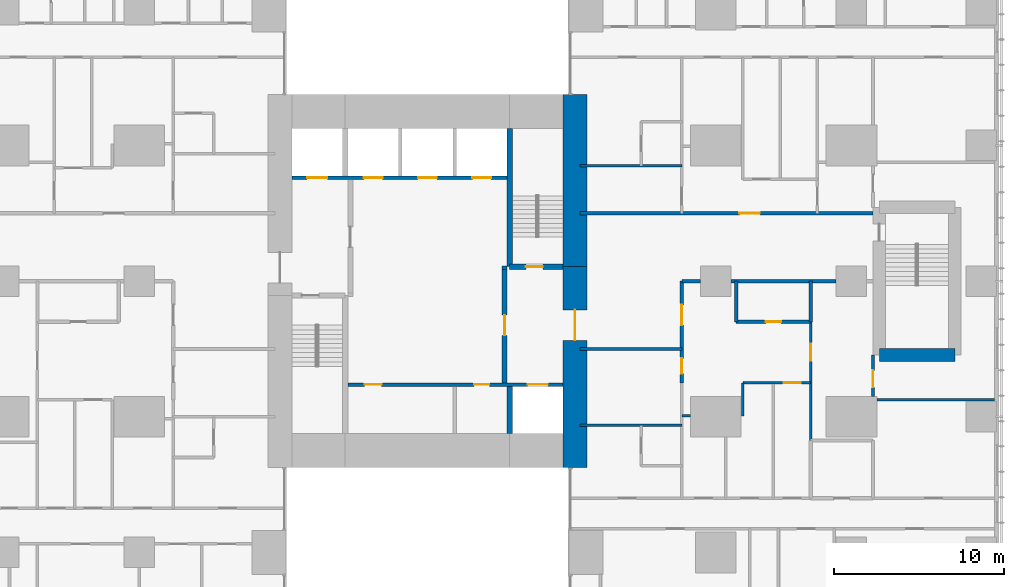
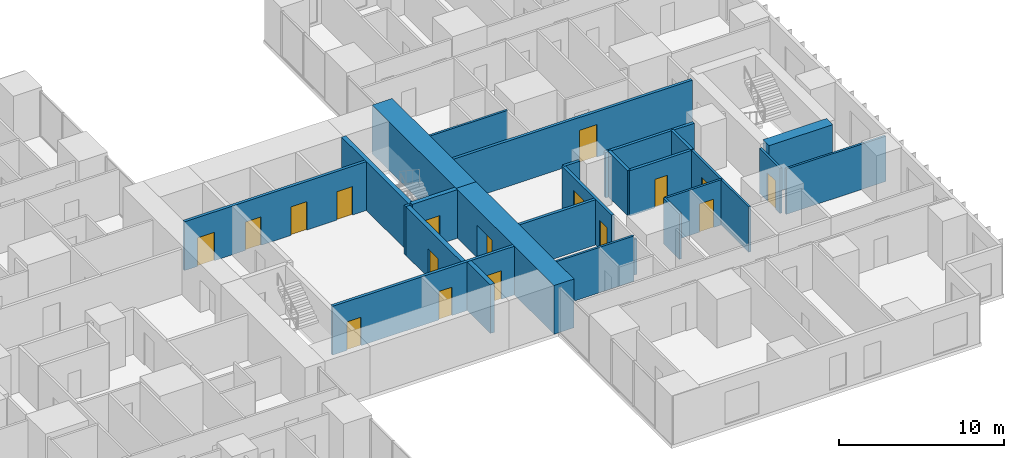
# One storey, part 15 of 20: 26 walls, 17 doors, 17 openings.
"""IFC4 building model written with IfcOpenShell, lengths in metres."""

from ifc_helpers import new_model, si_unit, direction, frame, frame_2d, origin, place, context, subcontext, project, spatial, rectangle, extrude, material, layer, layer_set, type_object, element, fill, save


model = new_model("IFC4")

# Units and contexts
model_context = context("Model", 3, precision=1e-05, world=origin(), true_north=direction((0.0, 1.0)))
body_context = subcontext(model_context, "Body", "Model", "MODEL_VIEW")
ifc_project = project(units=[si_unit("LENGTHUNIT", "METRE"), si_unit("AREAUNIT", "SQUARE_METRE"), si_unit("VOLUMEUNIT", "CUBIC_METRE"), si_unit("PLANEANGLEUNIT", "RADIAN"), si_unit("MASSUNIT", "GRAM", prefix="KILO")], contexts=[model_context])

# Site, building, storey
site_placement = place(None, origin())
site = spatial("IfcSite", under=ifc_project, at=site_placement, CompositionType="ELEMENT")
building_placement = place(site_placement, origin())
building = spatial("IfcBuilding", under=site, at=building_placement, Name="Cleftline Residences", CompositionType="ELEMENT")
storey_placement = place(building_placement, frame((0.0, 0.0, 203.800048828125)))
storey = spatial("IfcBuildingStorey", under=building, at=storey_placement, Name="L53", CompositionType="ELEMENT", Elevation=203.800048828125)

# Wall, opening, door
ifc_material_1 = material(Name="Concrete B70", Category="concrete")
ifc_layer_1 = layer(ifc_material_1, 1.39990234375)
ifc_layer_set_1 = layer_set([ifc_layer_1], Name="CORE WALL 1400")
wall_type_1 = type_object("IfcWallType", Name="CORE WALL 1400", PredefinedType="SHEAR", material=ifc_layer_set_1)
wall_1_placement = place(storey_placement, frame((41.699951171875, 13.0, 0.0), z_axis=(0.0, 0.0, 1.0), x_axis=(0.0, 1.0, 0.0)))
wall_1 = element("IfcWall", 1, at=wall_1_placement, inside=storey, type_object=wall_type_1, Name="Core wall E", PredefinedType="SHEAR", context=body_context, shape_type="SweptSolid", body=[
    extrude(rectangle(XDim=11.85009765625, YDim=1.39990234375, at=frame_2d((5.925048828125, 0.0))), origin(), (0.0, 0.0, 1.0), 3.599853515625),
])
opening_1_placement = place(wall_1_placement, frame((7.5, 0.0, 0.0)))
opening_1 = element("IfcOpeningElement", 2, at=opening_1_placement, cuts=wall_1, Name="Opening D7", PredefinedType="OPENING", context=body_context, shape_type="SweptSolid", body=[
    extrude(rectangle(XDim=1.800048828125, YDim=2.39990234375, at=frame_2d((0.89990234375, 1.199951171875))), frame((0.0, 0.7099609375, 0.0), z_axis=(0.0, -1.0, 0.0), x_axis=(1.0, 0.0, 0.0)), (0.0, 0.0, 1.0), 1.419921875),
])
ifc_material_2 = material(Name="Steel", Category="steel")
door_type_1 = type_object("IfcDoorType", Name="WING DOOR 1800X2400", OperationType="DOUBLE_DOOR_DOUBLE_SWING", PredefinedType="DOOR", material=ifc_material_2)
door_1_placement = place(opening_1_placement, origin())
door_1 = element("IfcDoor", 3, at=door_1_placement, inside=storey, type_object=door_type_1, Name="East wing door", OperationType="DOUBLE_DOOR_DOUBLE_SWING", OverallHeight=2.39990234375, OverallWidth=1.800048828125, PredefinedType="DOOR", context=body_context, shape_type="SweptSolid", body=[
    extrude(rectangle(XDim=1.800048828125, YDim=2.39990234375, at=frame_2d((0.89990234375, 1.199951171875))), frame((0.0, 0.02490234375, 0.0), z_axis=(0.0, -1.0, 0.0), x_axis=(1.0, 0.0, 0.0)), (0.0, 0.0, 1.0), 0.050048828125),
])
fill(opening_1, door_1)

# Walls
wall_2_placement = place(storey_placement, frame((41.699951171875, 24.85009765625, 0.0), z_axis=(0.0, 0.0, 1.0), x_axis=(0.0, 1.0, 0.0)))
element("IfcWall", 4, at=wall_2_placement, inside=storey, type_object=wall_type_1, Name="Core wall E1", PredefinedType="SHEAR", context=body_context, shape_type="SweptSolid", body=[
    extrude(rectangle(XDim=10.14990234375, YDim=1.39990234375, at=frame_2d((5.074951171875, 0.0))), origin(), (0.0, 0.0, 1.0), 3.599853515625),
])
ifc_material_3 = material(Name="Concrete B70", Category="concrete")
ifc_layer_2 = layer(ifc_material_3, 0.300048828125)
ifc_layer_set_2 = layer_set([ifc_layer_2], Name="CORE WALL 300")
wall_type_2 = type_object("IfcWallType", Name="CORE WALL 300", PredefinedType="SHEAR", material=ifc_layer_set_2)
wall_3_placement = place(storey_placement, frame((37.85009765625, 24.85009765625, 0.0), z_axis=(0.0, 0.0, 1.0), x_axis=(0.0, 1.0, 0.0)))
element("IfcWall", 5, at=wall_3_placement, inside=storey, type_object=wall_type_2, Name="Core wall SB-W", PredefinedType="SHEAR", context=body_context, shape_type="SweptSolid", body=[
    extrude(rectangle(XDim=8.14990234375, YDim=0.300048828125, at=frame_2d((4.074951171875, 0.0))), origin(), (0.0, 0.0, 1.0), 3.599853515625),
])

# Wall, opening, door
wall_4_placement = place(storey_placement, frame((37.85009765625, 24.85009765625, 0.0), z_axis=(0.0, 0.0, 1.0), x_axis=(1.0, 0.0, 0.0)))
wall_4 = element("IfcWall", 6, at=wall_4_placement, inside=storey, type_object=wall_type_2, Name="Core wall SB-S", PredefinedType="SHEAR", context=body_context, shape_type="SweptSolid", body=[
    extrude(rectangle(XDim=3.14990234375, YDim=0.300048828125, at=frame_2d((1.574951171875, 0.0))), origin(), (0.0, 0.0, 1.0), 3.599853515625),
])
opening_2_placement = place(wall_4_placement, frame((0.949951171875, 0.0, 0.0)))
opening_2 = element("IfcOpeningElement", 7, at=opening_2_placement, cuts=wall_4, Name="Opening D5", PredefinedType="OPENING", context=body_context, shape_type="SweptSolid", body=[
    extrude(rectangle(XDim=1.0, YDim=2.10009765625, at=frame_2d((0.5, 1.050048828125))), frame((0.0, 0.159912109375, 0.0), z_axis=(0.0, -1.0, 0.0), x_axis=(1.0, 0.0, 0.0)), (0.0, 0.0, 1.0), 0.320068359375),
])
ifc_material_4 = material(Name="Steel", Category="steel")
door_type_2 = type_object("IfcDoorType", Name="STAIR DOOR 1000X2100", OperationType="SINGLE_SWING_LEFT", PredefinedType="DOOR", material=ifc_material_4)
door_2_placement = place(opening_2_placement, origin())
door_2 = element("IfcDoor", 8, at=door_2_placement, inside=storey, type_object=door_type_2, Name="Stair B door", OperationType="SINGLE_SWING_RIGHT", OverallHeight=2.10009765625, OverallWidth=1.0, PredefinedType="DOOR", context=body_context, shape_type="SweptSolid", body=[
    extrude(rectangle(XDim=1.0, YDim=2.10009765625, at=frame_2d((0.5, 1.050048828125))), frame((0.0, 0.02490234375, 0.0), z_axis=(0.0, -1.0, 0.0), x_axis=(1.0, 0.0, 0.0)), (0.0, 0.0, 1.0), 0.050048828125),
])
fill(opening_2, door_2)

# Walls
wall_5_placement = place(storey_placement, frame((37.85009765625, 15.0, 0.0), z_axis=(0.0, 0.0, 1.0), x_axis=(0.0, 1.0, 0.0)))
element("IfcWall", 9, at=wall_5_placement, inside=storey, type_object=wall_type_2, Name="Lift shaft wall", PredefinedType="SHEAR", context=body_context, shape_type="SweptSolid", body=[
    extrude(rectangle(XDim=2.800048828125, YDim=0.300048828125, at=frame_2d((1.39990234375, 0.0))), origin(), (0.0, 0.0, 1.0), 3.599853515625),
])
ifc_material_5 = material(Name="Concrete blockwork, fire rated", Category="masonry")
ifc_layer_3 = layer(ifc_material_5, 0.199951171875)
ifc_layer_set_3 = layer_set([ifc_layer_3], Name="FIRE WALL 200")
wall_type_3 = type_object("IfcWallType", Name="FIRE WALL 200", PredefinedType="PARTITIONING", material=ifc_layer_set_3)
wall_6_placement = place(storey_placement, frame((42.0, 20.0, 0.0), z_axis=(0.0, 0.0, 1.0), x_axis=(1.0, 0.0, 0.0)))
element("IfcWall", 10, at=wall_6_placement, inside=storey, type_object=wall_type_3, Name="Fire separating wall", PredefinedType="PARTITIONING", context=body_context, shape_type="SweptSolid", body=[
    extrude(rectangle(XDim=6.0, YDim=0.199951171875, at=frame_2d((3.0, 0.0))), origin(), (0.0, 0.0, 1.0), 3.349853515625),
])

# Wall, opening, door
wall_7_placement = place(storey_placement, frame((51.199951171875, 21.60009765625, 0.0), z_axis=(0.0, 0.0, 1.0), x_axis=(1.0, 0.0, 0.0)))
wall_7 = element("IfcWall", 11, at=wall_7_placement, inside=storey, type_object=wall_type_3, Name="Fire separating wall", PredefinedType="PARTITIONING", context=body_context, shape_type="SweptSolid", body=[
    extrude(rectangle(XDim=4.400146484375, YDim=0.199951171875, at=frame_2d((2.2001953125, 0.0))), origin(), (0.0, 0.0, 1.0), 3.349853515625),
])
opening_3_placement = place(wall_7_placement, frame((1.75, 0.0, 0.0)))
opening_3 = element("IfcOpeningElement", 12, at=opening_3_placement, cuts=wall_7, Name="Opening D1F30", PredefinedType="OPENING", context=body_context, shape_type="SweptSolid", body=[
    extrude(rectangle(XDim=0.89990234375, YDim=2.10009765625, at=frame_2d((0.449951171875, 1.050048828125))), frame((0.0, 0.10986328125, 0.0), z_axis=(0.0, -1.0, 0.0), x_axis=(1.0, 0.0, 0.0)), (0.0, 0.0, 1.0), 0.219970703125),
])
ifc_material_6 = material(Name="Timber veneer on solid core", Category="wood")
door_type_3 = type_object("IfcDoorType", Name="DOOR 900X2100 EI 30", OperationType="SINGLE_SWING_LEFT", PredefinedType="DOOR", material=ifc_material_6)
door_3_placement = place(opening_3_placement, origin())
door_3 = element("IfcDoor", 13, at=door_3_placement, inside=storey, type_object=door_type_3, Name="Door to cloakroom wc", OperationType="SINGLE_SWING_LEFT", OverallHeight=2.10009765625, OverallWidth=0.89990234375, PredefinedType="DOOR", context=body_context, shape_type="SweptSolid", body=[
    extrude(rectangle(XDim=0.89990234375, YDim=2.10009765625, at=frame_2d((0.449951171875, 1.050048828125))), frame((0.0, 0.02490234375, 0.0), z_axis=(0.0, -1.0, 0.0), x_axis=(1.0, 0.0, 0.0)), (0.0, 0.0, 1.0), 0.050048828125),
])
fill(opening_3, door_3)

# Walls
wall_8_placement = place(storey_placement, frame((48.0, 24.0, 0.0), z_axis=(0.0, 0.0, 1.0), x_axis=(1.0, 0.0, 0.0)))
element("IfcWall", 14, at=wall_8_placement, inside=storey, type_object=wall_type_3, Name="Fire separating wall", PredefinedType="PARTITIONING", context=body_context, shape_type="SweptSolid", body=[
    extrude(rectangle(XDim=1.10009765625, YDim=0.199951171875, at=frame_2d((0.550048828125, 0.0))), origin(), (0.0, 0.0, 1.0), 3.349853515625),
])
wall_9_placement = place(storey_placement, frame((50.89990234375, 24.0, 0.0), z_axis=(0.0, 0.0, 1.0), x_axis=(1.0, 0.0, 0.0)))
element("IfcWall", 15, at=wall_9_placement, inside=storey, type_object=wall_type_3, Name="Fire separating wall", PredefinedType="PARTITIONING", context=body_context, shape_type="SweptSolid", body=[
    extrude(rectangle(XDim=6.2001953125, YDim=0.199951171875, at=frame_2d((3.10009765625, 0.0))), origin(), (0.0, 0.0, 1.0), 3.349853515625),
])

# Wall, opening, door
wall_10_placement = place(storey_placement, frame((42.0, 28.0, 0.0), z_axis=(0.0, 0.0, 1.0), x_axis=(1.0, 0.0, 0.0)))
wall_10 = element("IfcWall", 16, at=wall_10_placement, inside=storey, type_object=wall_type_3, Name="Fire separating wall", PredefinedType="PARTITIONING", context=body_context, shape_type="SweptSolid", body=[
    extrude(rectangle(XDim=17.27490234375, YDim=0.199951171875, at=frame_2d((8.637451171875, 0.0))), origin(), (0.0, 0.0, 1.0), 3.349853515625),
])
opening_4_placement = place(wall_10_placement, frame((9.39990234375, 0.0, 0.0)))
opening_4 = element("IfcOpeningElement", 17, at=opening_4_placement, cuts=wall_10, Name="Opening D4", PredefinedType="OPENING", context=body_context, shape_type="SweptSolid", body=[
    extrude(rectangle(XDim=1.199951171875, YDim=2.39990234375, at=frame_2d((0.60009765625, 1.199951171875))), frame((0.0, 0.10986328125, 0.0), z_axis=(0.0, -1.0, 0.0), x_axis=(1.0, 0.0, 0.0)), (0.0, 0.0, 1.0), 0.219970703125),
])
ifc_material_7 = material(Name="Timber veneer on solid core", Category="wood")
door_type_4 = type_object("IfcDoorType", Name="APARTMENT ENTRANCE DOOR 1200X2400", OperationType="SINGLE_SWING_RIGHT", PredefinedType="DOOR", material=ifc_material_7)
door_4_placement = place(opening_4_placement, origin())
door_4 = element("IfcDoor", 18, at=door_4_placement, inside=storey, type_object=door_type_4, Name="Door to residence entrance (gallery)", OperationType="SINGLE_SWING_LEFT", OverallHeight=2.39990234375, OverallWidth=1.199951171875, PredefinedType="DOOR", context=body_context, shape_type="SweptSolid", body=[
    extrude(rectangle(XDim=1.199951171875, YDim=2.39990234375, at=frame_2d((0.60009765625, 1.199951171875))), frame((0.0, 0.02490234375, 0.0), z_axis=(0.0, -1.0, 0.0), x_axis=(1.0, 0.0, 0.0)), (0.0, 0.0, 1.0), 0.050048828125),
])
fill(opening_4, door_4)

# Wall, openings, doors
wall_11_placement = place(storey_placement, frame((48.0, 18.0, 0.0), z_axis=(0.0, 0.0, 1.0), x_axis=(0.0, 1.0, 0.0)))
wall_11 = element("IfcWall", 19, at=wall_11_placement, inside=storey, type_object=wall_type_3, Name="Fire separating wall", PredefinedType="PARTITIONING", context=body_context, shape_type="SweptSolid", body=[
    extrude(rectangle(XDim=6.0, YDim=0.199951171875, at=frame_2d((3.0, 0.0))), origin(), (0.0, 0.0, 1.0), 3.349853515625),
])
opening_5_placement = place(wall_11_placement, frame((3.39990234375, 0.0, 0.0)))
opening_5 = element("IfcOpeningElement", 20, at=opening_5_placement, cuts=wall_11, Name="Opening D4", PredefinedType="OPENING", context=body_context, shape_type="SweptSolid", body=[
    extrude(rectangle(XDim=1.199951171875, YDim=2.39990234375, at=frame_2d((0.60009765625, 1.199951171875))), frame((0.0, 0.10986328125, 0.0), z_axis=(0.0, -1.0, 0.0), x_axis=(1.0, 0.0, 0.0)), (0.0, 0.0, 1.0), 0.219970703125),
])
opening_6_placement = place(wall_11_placement, frame((0.550048828125, 0.0, 0.0)))
opening_6 = element("IfcOpeningElement", 21, at=opening_6_placement, cuts=wall_11, Name="Opening D1F30", PredefinedType="OPENING", context=body_context, shape_type="SweptSolid", body=[
    extrude(rectangle(XDim=0.89990234375, YDim=2.10009765625, at=frame_2d((0.449951171875, 1.050048828125))), frame((0.0, 0.10986328125, 0.0), z_axis=(0.0, -1.0, 0.0), x_axis=(1.0, 0.0, 0.0)), (0.0, 0.0, 1.0), 0.219970703125),
])
door_5_placement = place(opening_5_placement, origin())
door_5 = element("IfcDoor", 22, at=door_5_placement, inside=storey, type_object=door_type_4, Name="Door to residence entrance foyer", OperationType="SINGLE_SWING_LEFT", OverallHeight=2.39990234375, OverallWidth=1.199951171875, PredefinedType="DOOR", context=body_context, shape_type="SweptSolid", body=[
    extrude(rectangle(XDim=1.199951171875, YDim=2.39990234375, at=frame_2d((0.60009765625, 1.199951171875))), frame((0.0, 0.02490234375, 0.0), z_axis=(0.0, -1.0, 0.0), x_axis=(1.0, 0.0, 0.0)), (0.0, 0.0, 1.0), 0.050048828125),
])
fill(opening_5, door_5)
door_6_placement = place(opening_6_placement, origin())
door_6 = element("IfcDoor", 23, at=door_6_placement, inside=storey, type_object=door_type_3, Name="Door to drying loggia", OperationType="SINGLE_SWING_RIGHT", OverallHeight=2.10009765625, OverallWidth=0.89990234375, PredefinedType="DOOR", context=body_context, shape_type="SweptSolid", body=[
    extrude(rectangle(XDim=0.89990234375, YDim=2.10009765625, at=frame_2d((0.449951171875, 1.050048828125))), frame((0.0, 0.02490234375, 0.0), z_axis=(0.0, -1.0, 0.0), x_axis=(1.0, 0.0, 0.0)), (0.0, 0.0, 1.0), 0.050048828125),
])
fill(opening_6, door_6)

# Walls
for number, where, z_axis, x_axis, name in (
    (24, (51.199951171875, 21.60009765625, 0.0), (0.0, 0.0, 1.0), (0.0, 1.0, 0.0), "Fire separating wall"),
    (25, (55.60009765625, 21.60009765625, 0.0), (0.0, 0.0, 1.0), (0.0, 1.0, 0.0), "Fire separating wall"),
):
    element("IfcWall", number, at=place(storey_placement, frame(where, z_axis=z_axis, x_axis=x_axis)), inside=storey, type_object=wall_type_3, Name=name, PredefinedType="PARTITIONING", context=body_context, shape_type="SweptSolid", body=[
        extrude(rectangle(XDim=2.39990234375, YDim=0.199951171875, at=frame_2d((1.199951171875, 0.0))), origin(), (0.0, 0.0, 1.0), 3.349853515625),
    ])
wall_12_placement = place(storey_placement, frame((37.39990234375, 24.800048828125, 0.0), z_axis=(0.0, 0.0, 1.0), x_axis=(1.0, 0.0, 0.0)))
element("IfcWall", 26, at=wall_12_placement, inside=storey, type_object=wall_type_3, Name="Fire separating wall", PredefinedType="PARTITIONING", context=body_context, shape_type="SweptSolid", body=[
    extrude(rectangle(XDim=0.300048828125, YDim=0.199951171875, at=frame_2d((0.14990234375, 0.0))), origin(), (0.0, 0.0, 1.0), 3.599853515625),
])
ifc_material_8 = material(Name="Gypsum board on steel studs", Category="steel")
ifc_layer_4 = layer(ifc_material_8, 0.14990234375)
ifc_layer_set_4 = layer_set([ifc_layer_4], Name="PARTITION 150")
wall_type_4 = type_object("IfcWallType", Name="PARTITION 150", PredefinedType="PARTITIONING", material=ifc_layer_set_4)
wall_13_placement = place(storey_placement, frame((42.0, 15.5, 0.0), z_axis=(0.0, 0.0, 1.0), x_axis=(1.0, 0.0, 0.0)))
element("IfcWall", 27, at=wall_13_placement, inside=storey, type_object=wall_type_4, Name="Partition", PredefinedType="PARTITIONING", context=body_context, shape_type="SweptSolid", body=[
    extrude(rectangle(XDim=6.0, YDim=0.14990234375, at=frame_2d((3.0, 0.0))), origin(), (0.0, 0.0, 1.0), 3.349853515625),
])
wall_14_placement = place(storey_placement, frame((48.0, 16.050048828125, 0.0), z_axis=(0.0, 0.0, 1.0), x_axis=(1.0, 0.0, 0.0)))
element("IfcWall", 28, at=wall_14_placement, inside=storey, type_object=wall_type_4, Name="Partition", PredefinedType="PARTITIONING", context=body_context, shape_type="SweptSolid", body=[
    extrude(rectangle(XDim=0.5, YDim=0.14990234375, at=frame_2d((0.25, 0.0))), origin(), (0.0, 0.0, 1.0), 2.634033203125),
])
wall_15_placement = place(storey_placement, frame((59.5, 17.0, 0.0), z_axis=(0.0, 0.0, 1.0), x_axis=(1.0, 0.0, 0.0)))
element("IfcWall", 29, at=wall_15_placement, inside=storey, type_object=wall_type_4, Name="Partition", PredefinedType="PARTITIONING", context=body_context, shape_type="SweptSolid", body=[
    extrude(rectangle(XDim=6.949951171875, YDim=0.14990234375, at=frame_2d((3.47509765625, 0.0))), origin(), (0.0, 0.0, 1.0), 3.349853515625),
])

# Wall, opening, door
wall_16_placement = place(storey_placement, frame((51.60009765625, 18.0, 0.0), z_axis=(0.0, 0.0, 1.0), x_axis=(1.0, 0.0, 0.0)))
wall_16 = element("IfcWall", 30, at=wall_16_placement, inside=storey, type_object=wall_type_4, Name="Partition", PredefinedType="PARTITIONING", context=body_context, shape_type="SweptSolid", body=[
    extrude(rectangle(XDim=4.0, YDim=0.14990234375, at=frame_2d((2.0, 0.0))), origin(), (0.0, 0.0, 1.0), 3.349853515625),
])
opening_7_placement = place(wall_16_placement, frame((2.39990234375, 0.0, 0.0)))
opening_7 = element("IfcOpeningElement", 31, at=opening_7_placement, cuts=wall_16, Name="Opening D2", PredefinedType="OPENING", context=body_context, shape_type="SweptSolid", body=[
    extrude(rectangle(XDim=1.0, YDim=2.10009765625, at=frame_2d((0.5, 1.050048828125))), frame((0.0, 0.0849609375, 0.0), z_axis=(0.0, -1.0, 0.0), x_axis=(1.0, 0.0, 0.0)), (0.0, 0.0, 1.0), 0.169921875),
])
ifc_material_9 = material(Name="Timber veneer on solid core", Category="wood")
door_type_5 = type_object("IfcDoorType", Name="DOOR 1000X2100", OperationType="SINGLE_SWING_LEFT", PredefinedType="DOOR", material=ifc_material_9)
door_7_placement = place(opening_7_placement, origin())
door_7 = element("IfcDoor", 32, at=door_7_placement, inside=storey, type_object=door_type_5, Name="Door to residence passage", OperationType="SINGLE_SWING_LEFT", OverallHeight=2.10009765625, OverallWidth=1.0, PredefinedType="DOOR", context=body_context, shape_type="SweptSolid", body=[
    extrude(rectangle(XDim=1.0, YDim=2.10009765625, at=frame_2d((0.5, 1.050048828125))), frame((0.0, 0.02490234375, 0.0), z_axis=(0.0, -1.0, 0.0), x_axis=(1.0, 0.0, 0.0)), (0.0, 0.0, 1.0), 0.050048828125),
])
fill(opening_7, door_7)

# Walls
wall_17_placement = place(storey_placement, frame((42.0, 30.800048828125, 0.0), z_axis=(0.0, 0.0, 1.0), x_axis=(1.0, 0.0, 0.0)))
element("IfcWall", 33, at=wall_17_placement, inside=storey, type_object=wall_type_4, Name="Partition", PredefinedType="PARTITIONING", context=body_context, shape_type="SweptSolid", body=[
    extrude(rectangle(XDim=6.0, YDim=0.14990234375, at=frame_2d((3.0, 0.0))), origin(), (0.0, 0.0, 1.0), 3.349853515625),
])
wall_18_placement = place(storey_placement, frame((51.60009765625, 16.050048828125, 0.0), z_axis=(0.0, 0.0, 1.0), x_axis=(0.0, 1.0, 0.0)))
element("IfcWall", 34, at=wall_18_placement, inside=storey, type_object=wall_type_4, Name="Partition", PredefinedType="PARTITIONING", context=body_context, shape_type="SweptSolid", body=[
    extrude(rectangle(XDim=1.949951171875, YDim=0.14990234375, at=frame_2d((0.97509765625, 0.0))), origin(), (0.0, 0.0, 1.0), 3.349853515625),
])

# Wall, opening, door
wall_19_placement = place(storey_placement, frame((55.60009765625, 14.60009765625, 0.0), z_axis=(0.0, 0.0, 1.0), x_axis=(0.0, 1.0, 0.0)))
wall_19 = element("IfcWall", 35, at=wall_19_placement, inside=storey, type_object=wall_type_4, Name="Partition", PredefinedType="PARTITIONING", context=body_context, shape_type="SweptSolid", body=[
    extrude(rectangle(XDim=7.0, YDim=0.14990234375, at=frame_2d((3.5, 0.0))), origin(), (0.0, 0.0, 1.0), 3.349853515625),
])
opening_8_placement = place(wall_19_placement, frame((4.699951171875, 0.0, 0.0)))
opening_8 = element("IfcOpeningElement", 36, at=opening_8_placement, cuts=wall_19, Name="Opening D2F30", PredefinedType="OPENING", context=body_context, shape_type="SweptSolid", body=[
    extrude(rectangle(XDim=1.0, YDim=2.10009765625, at=frame_2d((0.5, 1.050048828125))), frame((0.0, 0.0849609375, 0.0), z_axis=(0.0, -1.0, 0.0), x_axis=(1.0, 0.0, 0.0)), (0.0, 0.0, 1.0), 0.169921875),
])
ifc_material_10 = material(Name="Timber veneer on solid core", Category="wood")
door_type_6 = type_object("IfcDoorType", Name="DOOR 1000X2100 EI 30", OperationType="SINGLE_SWING_LEFT", PredefinedType="DOOR", material=ifc_material_10)
door_8_placement = place(opening_8_placement, origin())
door_8 = element("IfcDoor", 37, at=door_8_placement, inside=storey, type_object=door_type_6, Name="Door to residence lobby", OperationType="SINGLE_SWING_LEFT", OverallHeight=2.10009765625, OverallWidth=1.0, PredefinedType="DOOR", context=body_context, shape_type="SweptSolid", body=[
    extrude(rectangle(XDim=1.0, YDim=2.10009765625, at=frame_2d((0.5, 1.050048828125))), frame((0.0, 0.02490234375, 0.0), z_axis=(0.0, -1.0, 0.0), x_axis=(1.0, 0.0, 0.0)), (0.0, 0.0, 1.0), 0.050048828125),
])
fill(opening_8, door_8)

wall_20_placement = place(storey_placement, frame((59.27490234375, 17.199951171875, 0.0), z_axis=(0.0, 0.0, 1.0), x_axis=(0.0, 1.0, 0.0)))
wall_20 = element("IfcWall", 38, at=wall_20_placement, inside=storey, type_object=wall_type_4, Name="Partition", PredefinedType="PARTITIONING", context=body_context, shape_type="SweptSolid", body=[
    extrude(rectangle(XDim=2.449951171875, YDim=0.14990234375, at=frame_2d((1.22509765625, 0.0))), origin(), (0.0, 0.0, 1.0), 3.349853515625),
])
opening_9_placement = place(wall_20_placement, frame((0.53759765625, 0.0, 0.0)))
opening_9 = element("IfcOpeningElement", 39, at=opening_9_placement, cuts=wall_20, Name="Opening D2", PredefinedType="OPENING", context=body_context, shape_type="SweptSolid", body=[
    extrude(rectangle(XDim=1.0, YDim=2.10009765625, at=frame_2d((0.5, 1.050048828125))), frame((0.0, 0.0849609375, 0.0), z_axis=(0.0, -1.0, 0.0), x_axis=(1.0, 0.0, 0.0)), (0.0, 0.0, 1.0), 0.169921875),
])
door_9_placement = place(opening_9_placement, origin())
door_9 = element("IfcDoor", 40, at=door_9_placement, inside=storey, type_object=door_type_5, Name="Door to altar room", OperationType="SINGLE_SWING_RIGHT", OverallHeight=2.10009765625, OverallWidth=1.0, PredefinedType="DOOR", context=body_context, shape_type="SweptSolid", body=[
    extrude(rectangle(XDim=1.0, YDim=2.10009765625, at=frame_2d((0.5, 1.050048828125))), frame((0.0, 0.02490234375, 0.0), z_axis=(0.0, -1.0, 0.0), x_axis=(1.0, 0.0, 0.0)), (0.0, 0.0, 1.0), 0.050048828125),
])
fill(opening_9, door_9)

# Wall, openings, doors
ifc_material_11 = material(Name="Concrete blockwork, fire rated", Category="masonry")
ifc_layer_5 = layer(ifc_material_11, 0.199951171875)
ifc_layer_set_5 = layer_set([ifc_layer_5], Name="SHAFT WALL 200")
wall_type_5 = type_object("IfcWallType", Name="SHAFT WALL 200", PredefinedType="PARTITIONING", material=ifc_layer_set_5)
wall_21_placement = place(storey_placement, frame((28.300048828125, 17.89990234375, 0.0), z_axis=(0.0, 0.0, 1.0), x_axis=(1.0, 0.0, 0.0)))
wall_21 = element("IfcWall", 41, at=wall_21_placement, inside=storey, type_object=wall_type_5, Name="Core room wall", PredefinedType="PARTITIONING", context=body_context, shape_type="SweptSolid", body=[
    extrude(rectangle(XDim=12.699951171875, YDim=0.199951171875, at=frame_2d((6.35009765625, 0.0))), origin(), (0.0, 0.0, 1.0), 3.599853515625),
])
opening_10_placement = place(wall_21_placement, frame((1.0, 0.0, 0.0)))
opening_10 = element("IfcOpeningElement", 42, at=opening_10_placement, cuts=wall_21, Name="Opening D2F60", PredefinedType="OPENING", context=body_context, shape_type="SweptSolid", body=[
    extrude(rectangle(XDim=1.0, YDim=2.10009765625, at=frame_2d((0.5, 1.050048828125))), frame((0.0, 0.10986328125, 0.0), z_axis=(0.0, -1.0, 0.0), x_axis=(1.0, 0.0, 0.0)), (0.0, 0.0, 1.0), 0.219970703125),
])
opening_11_placement = place(wall_21_placement, frame((7.449951171875, 0.0, 0.0)))
opening_11 = element("IfcOpeningElement", 43, at=opening_11_placement, cuts=wall_21, Name="Opening D1F30", PredefinedType="OPENING", context=body_context, shape_type="SweptSolid", body=[
    extrude(rectangle(XDim=0.89990234375, YDim=2.10009765625, at=frame_2d((0.449951171875, 1.050048828125))), frame((0.0, 0.10986328125, 0.0), z_axis=(0.0, -1.0, 0.0), x_axis=(1.0, 0.0, 0.0)), (0.0, 0.0, 1.0), 0.219970703125),
])
opening_12_placement = place(wall_21_placement, frame((10.60009765625, 0.0, 0.0)))
opening_12 = element("IfcOpeningElement", 44, at=opening_12_placement, cuts=wall_21, Name="Opening LD2", PredefinedType="OPENING", context=body_context, shape_type="SweptSolid", body=[
    extrude(rectangle(XDim=1.199951171875, YDim=2.10009765625, at=frame_2d((0.60009765625, 1.050048828125))), frame((0.0, 0.10986328125, 0.0), z_axis=(0.0, -1.0, 0.0), x_axis=(1.0, 0.0, 0.0)), (0.0, 0.0, 1.0), 0.219970703125),
])
ifc_material_12 = material(Name="Timber veneer on solid core", Category="wood")
door_type_7 = type_object("IfcDoorType", Name="DOOR 1000X2100 EI 60", OperationType="SINGLE_SWING_LEFT", PredefinedType="DOOR", material=ifc_material_12)
door_10_placement = place(opening_10_placement, origin())
door_10 = element("IfcDoor", 45, at=door_10_placement, inside=storey, type_object=door_type_7, Name="Door to communications room", OperationType="SINGLE_SWING_RIGHT", OverallHeight=2.10009765625, OverallWidth=1.0, PredefinedType="DOOR", context=body_context, shape_type="SweptSolid", body=[
    extrude(rectangle(XDim=1.0, YDim=2.10009765625, at=frame_2d((0.5, 1.050048828125))), frame((0.0, 0.02490234375, 0.0), z_axis=(0.0, -1.0, 0.0), x_axis=(1.0, 0.0, 0.0)), (0.0, 0.0, 1.0), 0.050048828125),
])
fill(opening_10, door_10)
door_11_placement = place(opening_11_placement, origin())
door_11 = element("IfcDoor", 46, at=door_11_placement, inside=storey, type_object=door_type_3, Name="Door to cleaner's store", OperationType="SINGLE_SWING_LEFT", OverallHeight=2.10009765625, OverallWidth=0.89990234375, PredefinedType="DOOR", context=body_context, shape_type="SweptSolid", body=[
    extrude(rectangle(XDim=0.89990234375, YDim=2.10009765625, at=frame_2d((0.449951171875, 1.050048828125))), frame((0.0, 0.02490234375, 0.0), z_axis=(0.0, -1.0, 0.0), x_axis=(1.0, 0.0, 0.0)), (0.0, 0.0, 1.0), 0.050048828125),
])
fill(opening_11, door_11)
ifc_material_13 = material(Name="Steel", Category="steel")
door_type_8 = type_object("IfcDoorType", Name="FIREFIGHTING LIFT LANDING DOOR 1200X2100", OperationType="SLIDING_TO_LEFT", PredefinedType="DOOR", material=ifc_material_13)
door_12_placement = place(opening_12_placement, origin())
door_12 = element("IfcDoor", 47, at=door_12_placement, inside=storey, type_object=door_type_8, Name="Lift FL2 landing door", OperationType="SLIDING_TO_LEFT", OverallHeight=2.10009765625, OverallWidth=1.199951171875, PredefinedType="DOOR", context=body_context, shape_type="SweptSolid", body=[
    extrude(rectangle(XDim=1.199951171875, YDim=2.10009765625, at=frame_2d((0.60009765625, 1.050048828125))), frame((0.0, 0.02490234375, 0.0), z_axis=(0.0, -1.0, 0.0), x_axis=(1.0, 0.0, 0.0)), (0.0, 0.0, 1.0), 0.050048828125),
])
fill(opening_12, door_12)

wall_22_placement = place(storey_placement, frame((25.0, 30.10009765625, 0.0), z_axis=(0.0, 0.0, 1.0), x_axis=(1.0, 0.0, 0.0)))
wall_22 = element("IfcWall", 48, at=wall_22_placement, inside=storey, type_object=wall_type_5, Name="Lift shaft wall", PredefinedType="PARTITIONING", context=body_context, shape_type="SweptSolid", body=[
    extrude(rectangle(XDim=12.699951171875, YDim=0.199951171875, at=frame_2d((6.35009765625, 0.0))), origin(), (0.0, 0.0, 1.0), 3.599853515625),
])
opening_13_placement = place(wall_22_placement, frame((4.25, 0.0, 0.0)))
opening_13 = element("IfcOpeningElement", 49, at=opening_13_placement, cuts=wall_22, Name="Opening LD1", PredefinedType="OPENING", context=body_context, shape_type="SweptSolid", body=[
    extrude(rectangle(XDim=1.10009765625, YDim=2.10009765625, at=frame_2d((0.550048828125, 1.050048828125))), frame((0.0, 0.10986328125, 0.0), z_axis=(0.0, -1.0, 0.0), x_axis=(1.0, 0.0, 0.0)), (0.0, 0.0, 1.0), 0.219970703125),
])
opening_14_placement = place(wall_22_placement, frame((7.449951171875, 0.0, 0.0)))
opening_14 = element("IfcOpeningElement", 50, at=opening_14_placement, cuts=wall_22, Name="Opening LD1", PredefinedType="OPENING", context=body_context, shape_type="SweptSolid", body=[
    extrude(rectangle(XDim=1.10009765625, YDim=2.10009765625, at=frame_2d((0.550048828125, 1.050048828125))), frame((0.0, 0.10986328125, 0.0), z_axis=(0.0, -1.0, 0.0), x_axis=(1.0, 0.0, 0.0)), (0.0, 0.0, 1.0), 0.219970703125),
])
opening_15_placement = place(wall_22_placement, frame((10.64990234375, 0.0, 0.0)))
opening_15 = element("IfcOpeningElement", 51, at=opening_15_placement, cuts=wall_22, Name="Opening LD1", PredefinedType="OPENING", context=body_context, shape_type="SweptSolid", body=[
    extrude(rectangle(XDim=1.10009765625, YDim=2.10009765625, at=frame_2d((0.550048828125, 1.050048828125))), frame((0.0, 0.10986328125, 0.0), z_axis=(0.0, -1.0, 0.0), x_axis=(1.0, 0.0, 0.0)), (0.0, 0.0, 1.0), 0.219970703125),
])
opening_16_placement = place(wall_22_placement, frame((0.89990234375, 0.0, 0.0)))
opening_16 = element("IfcOpeningElement", 52, at=opening_16_placement, cuts=wall_22, Name="Opening LD2", PredefinedType="OPENING", context=body_context, shape_type="SweptSolid", body=[
    extrude(rectangle(XDim=1.199951171875, YDim=2.10009765625, at=frame_2d((0.60009765625, 1.050048828125))), frame((0.0, 0.10986328125, 0.0), z_axis=(0.0, -1.0, 0.0), x_axis=(1.0, 0.0, 0.0)), (0.0, 0.0, 1.0), 0.219970703125),
])
door_13_placement = place(opening_16_placement, origin())
door_13 = element("IfcDoor", 53, at=door_13_placement, inside=storey, type_object=door_type_8, Name="Lift FL1 landing door", OperationType="SLIDING_TO_LEFT", OverallHeight=2.10009765625, OverallWidth=1.199951171875, PredefinedType="DOOR", context=body_context, shape_type="SweptSolid", body=[
    extrude(rectangle(XDim=1.199951171875, YDim=2.10009765625, at=frame_2d((0.60009765625, 1.050048828125))), frame((0.0, 0.02490234375, 0.0), z_axis=(0.0, -1.0, 0.0), x_axis=(1.0, 0.0, 0.0)), (0.0, 0.0, 1.0), 0.050048828125),
])
fill(opening_16, door_13)
ifc_material_14 = material(Name="Steel", Category="steel")
door_type_9 = type_object("IfcDoorType", Name="LIFT LANDING DOOR 1100X2100", OperationType="SLIDING_TO_LEFT", PredefinedType="DOOR", material=ifc_material_14)
door_14_placement = place(opening_13_placement, origin())
door_14 = element("IfcDoor", 54, at=door_14_placement, inside=storey, type_object=door_type_9, Name="Lift P4 landing door", OperationType="SLIDING_TO_LEFT", OverallHeight=2.10009765625, OverallWidth=1.10009765625, PredefinedType="DOOR", context=body_context, shape_type="SweptSolid", body=[
    extrude(rectangle(XDim=1.10009765625, YDim=2.10009765625, at=frame_2d((0.550048828125, 1.050048828125))), frame((0.0, 0.02490234375, 0.0), z_axis=(0.0, -1.0, 0.0), x_axis=(1.0, 0.0, 0.0)), (0.0, 0.0, 1.0), 0.050048828125),
])
fill(opening_13, door_14)
door_15_placement = place(opening_14_placement, origin())
door_15 = element("IfcDoor", 55, at=door_15_placement, inside=storey, type_object=door_type_9, Name="Lift P5 landing door", OperationType="SLIDING_TO_LEFT", OverallHeight=2.10009765625, OverallWidth=1.10009765625, PredefinedType="DOOR", context=body_context, shape_type="SweptSolid", body=[
    extrude(rectangle(XDim=1.10009765625, YDim=2.10009765625, at=frame_2d((0.550048828125, 1.050048828125))), frame((0.0, 0.02490234375, 0.0), z_axis=(0.0, -1.0, 0.0), x_axis=(1.0, 0.0, 0.0)), (0.0, 0.0, 1.0), 0.050048828125),
])
fill(opening_14, door_15)
door_16_placement = place(opening_15_placement, origin())
door_16 = element("IfcDoor", 56, at=door_16_placement, inside=storey, type_object=door_type_9, Name="Lift P6 landing door", OperationType="SLIDING_TO_LEFT", OverallHeight=2.10009765625, OverallWidth=1.10009765625, PredefinedType="DOOR", context=body_context, shape_type="SweptSolid", body=[
    extrude(rectangle(XDim=1.10009765625, YDim=2.10009765625, at=frame_2d((0.550048828125, 1.050048828125))), frame((0.0, 0.02490234375, 0.0), z_axis=(0.0, -1.0, 0.0), x_axis=(1.0, 0.0, 0.0)), (0.0, 0.0, 1.0), 0.050048828125),
])
fill(opening_15, door_16)

# Wall
ifc_material_15 = material(Name="Concrete B70", Category="concrete")
ifc_layer_6 = layer(ifc_material_15, 0.75)
ifc_layer_set_6 = layer_set([ifc_layer_6], Name="SHEAR WALL 750")
wall_type_6 = type_object("IfcWallType", Name="SHEAR WALL 750", PredefinedType="SHEAR", material=ifc_layer_set_6)
wall_23_placement = place(storey_placement, frame((59.64990234375, 19.64990234375, 0.0), z_axis=(0.0, 0.0, 1.0), x_axis=(1.0, 0.0, 0.0)))
element("IfcWall", 57, at=wall_23_placement, inside=storey, type_object=wall_type_6, Name="Wing shear wall", PredefinedType="SHEAR", context=body_context, shape_type="SweptSolid", body=[
    extrude(rectangle(XDim=4.4501953125, YDim=0.75, at=frame_2d((2.22509765625, 0.0))), origin(), (0.0, 0.0, 1.0), 3.599853515625),
])

# Wall, opening, door
ifc_material_16 = material(Name="Concrete blockwork, fire rated", Category="masonry")
ifc_layer_7 = layer(ifc_material_16, 0.300048828125)
ifc_layer_set_7 = layer_set([ifc_layer_7], Name="STAIR LOBBY WALL 300")
wall_type_7 = type_object("IfcWallType", Name="STAIR LOBBY WALL 300", PredefinedType="PARTITIONING", material=ifc_layer_set_7)
wall_24_placement = place(storey_placement, frame((37.550048828125, 18.0, 0.0), z_axis=(0.0, 0.0, 1.0), x_axis=(0.0, 1.0, 0.0)))
wall_24 = element("IfcWall", 58, at=wall_24_placement, inside=storey, type_object=wall_type_7, Name="Stair and lobby wall FB-W", PredefinedType="PARTITIONING", context=body_context, shape_type="SweptSolid", body=[
    extrude(rectangle(XDim=6.699951171875, YDim=0.300048828125, at=frame_2d((3.35009765625, 0.0))), origin(), (0.0, 0.0, 1.0), 3.599853515625),
])
opening_17_placement = place(wall_24_placement, frame((2.800048828125, 0.0, 0.0)))
opening_17 = element("IfcOpeningElement", 59, at=opening_17_placement, cuts=wall_24, Name="Opening D6", PredefinedType="OPENING", context=body_context, shape_type="SweptSolid", body=[
    extrude(rectangle(XDim=1.199951171875, YDim=2.10009765625, at=frame_2d((0.60009765625, 1.050048828125))), frame((0.0, 0.159912109375, 0.0), z_axis=(0.0, -1.0, 0.0), x_axis=(1.0, 0.0, 0.0)), (0.0, 0.0, 1.0), 0.320068359375),
])
ifc_material_17 = material(Name="Steel", Category="steel")
door_type_10 = type_object("IfcDoorType", Name="LOBBY DOOR 1200X2100", OperationType="SINGLE_SWING_RIGHT", PredefinedType="DOOR", material=ifc_material_17)
door_17_placement = place(opening_17_placement, origin())
door_17 = element("IfcDoor", 60, at=door_17_placement, inside=storey, type_object=door_type_10, Name="Firefighting lobby B door", OperationType="SINGLE_SWING_LEFT", OverallHeight=2.10009765625, OverallWidth=1.199951171875, PredefinedType="DOOR", context=body_context, shape_type="SweptSolid", body=[
    extrude(rectangle(XDim=1.199951171875, YDim=2.10009765625, at=frame_2d((0.60009765625, 1.050048828125))), frame((0.0, 0.02490234375, 0.0), z_axis=(0.0, -1.0, 0.0), x_axis=(1.0, 0.0, 0.0)), (0.0, 0.0, 1.0), 0.050048828125),
])
fill(opening_17, door_17)

save(model, "model.ifc")
